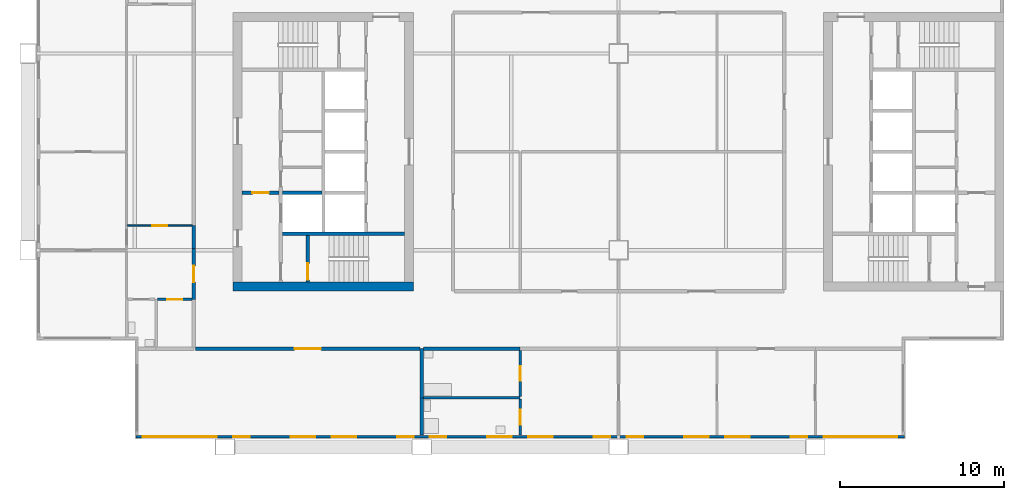
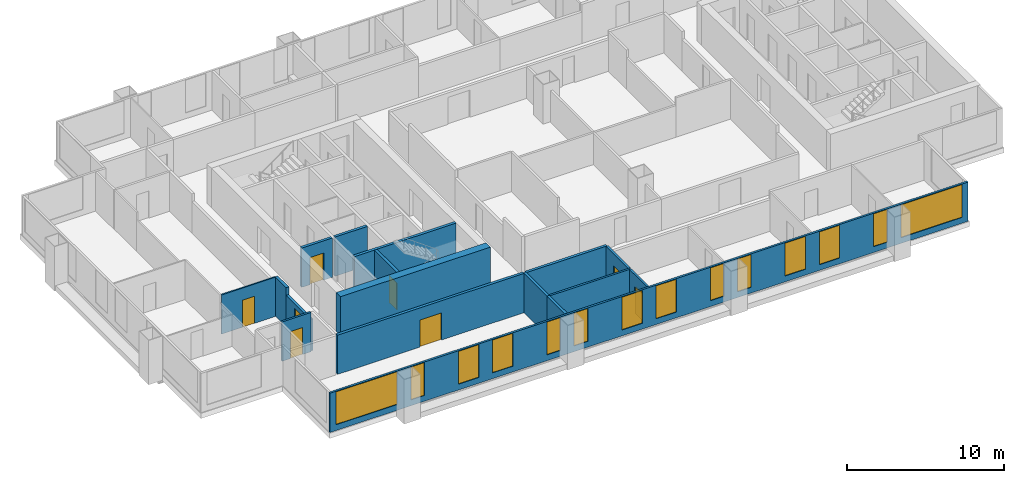
# One storey, part 2 of 9: 17 walls, 14 windows, 8 doors, 22 openings.
"""IFC4 building model written with IfcOpenShell, lengths in metres."""

from ifc_helpers import new_model, si_unit, direction, frame, frame_2d, origin, place, context, subcontext, project, spatial, rectangle, extrude, material, layer, layer_set, type_object, element, fill, save


model = new_model("IFC4")

# Units and contexts
model_context = context("Model", 3, precision=1e-05, world=origin(), true_north=direction((0.0, 1.0)))
body_context = subcontext(model_context, "Body", "Model", "MODEL_VIEW")
ifc_project = project(units=[si_unit("LENGTHUNIT", "METRE"), si_unit("AREAUNIT", "SQUARE_METRE"), si_unit("VOLUMEUNIT", "CUBIC_METRE"), si_unit("PLANEANGLEUNIT", "RADIAN"), si_unit("MASSUNIT", "GRAM", prefix="KILO")], contexts=[model_context])

# Site, building, storey
site_placement = place(None, origin())
site = spatial("IfcSite", under=ifc_project, at=site_placement, CompositionType="ELEMENT")
building_placement = place(site_placement, origin())
building = spatial("IfcBuilding", under=site, at=building_placement, Name="Kitamizu Gate Tower and Museum", CompositionType="ELEMENT")
storey_placement = place(building_placement, frame((0.0, 0.0, 206.550048828125)))
storey = spatial("IfcBuildingStorey", under=building, at=storey_placement, Name="L55", CompositionType="ELEMENT", Elevation=206.550048828125)

# Wall
ifc_material_1 = material(Name="Concrete Fc42", Category="concrete")
ifc_layer_1 = layer(ifc_material_1, 0.550048828125)
ifc_layer_set_1 = layer_set([ifc_layer_1], Name="Concrete Fc42")
wall_type_1 = type_object("IfcWallType", Name="Core wall 550", PredefinedType="SHEAR", material=ifc_layer_set_1)
wall_1_placement = place(storey_placement, frame((12.5, 21.77490234375, 0.0), z_axis=(0.0, 0.0, 1.0), x_axis=(1.0, 0.0, 0.0)))
element("IfcWall", 1, at=wall_1_placement, inside=storey, type_object=wall_type_1, Name="Core wall WS", PredefinedType="SHEAR", context=body_context, shape_type="SweptSolid", body=[
    extrude(rectangle(XDim=11.0, YDim=0.550048828125, at=frame_2d((5.5, 0.0))), origin(), (0.0, 0.0, 1.0), 3.050048828125),
])

# Wall, opening, door
ifc_material_2 = material(Name="Gypsum board on galvanised stud")
ifc_layer_2 = layer(ifc_material_2, 0.10009765625)
ifc_layer_set_2 = layer_set([ifc_layer_2], Name="Gypsum board on galvanised stud")
wall_type_2 = type_object("IfcWallType", Name="Partition 100 NOT RATED", PredefinedType="PARTITIONING", material=ifc_layer_set_2)
wall_2_placement = place(storey_placement, frame((10.0, 25.5, 0.0), z_axis=(0.0, 0.0, 1.0), x_axis=(-1.0, 0.0, 0.0)))
wall_2 = element("IfcWall", 2, at=wall_2_placement, inside=storey, type_object=wall_type_2, Name="Partition L55-050", PredefinedType="PARTITIONING", context=body_context, shape_type="SweptSolid", body=[
    extrude(rectangle(XDim=3.949951171875, YDim=0.10009765625, at=frame_2d((1.97509765625, 0.0))), origin(), (0.0, 0.0, 1.0), 3.050048828125),
])
opening_1_placement = place(wall_2_placement, frame((1.52490234375, 0.0, 0.0)))
opening_1 = element("IfcOpeningElement", 3, at=opening_1_placement, cuts=wall_2, Name="Opening L55-019", PredefinedType="OPENING", context=body_context, shape_type="SweptSolid", body=[
    extrude(rectangle(XDim=0.89990234375, YDim=2.10009765625, at=frame_2d((0.449951171875, 1.050048828125))), frame((0.0, 0.06005859375, 0.0), z_axis=(0.0, -1.0, 0.0), x_axis=(1.0, 0.0, 0.0)), (0.0, 0.0, 1.0), 0.1201171875),
])
ifc_material_3 = material(Name="Timber door set", Category="wood")
door_type_1 = type_object("IfcDoorType", Name="Room door 900", OperationType="NOTDEFINED", PredefinedType="DOOR", material=ifc_material_3)
door_1_placement = place(opening_1_placement, origin())
door_1 = element("IfcDoor", 4, at=door_1_placement, inside=storey, type_object=door_type_1, Name="Door L55-019", OperationType="SINGLE_SWING_LEFT", OverallHeight=2.10009765625, OverallWidth=0.89990234375, PredefinedType="DOOR", context=body_context, shape_type="SweptSolid", body=[
    extrude(rectangle(XDim=0.89990234375, YDim=2.10009765625, at=frame_2d((0.449951171875, 1.050048828125))), frame((0.0, 0.02490234375, 0.0), z_axis=(0.0, -1.0, 0.0), x_axis=(1.0, 0.0, 0.0)), (0.0, 0.0, 1.0), 0.050048828125),
])
fill(opening_1, door_1)

# Wall
ifc_material_4 = material(Name="Gypsum board on galvanised stud")
ifc_layer_3 = layer(ifc_material_4, 0.14990234375)
ifc_layer_set_3 = layer_set([ifc_layer_3], Name="Gypsum board on galvanised stud")
wall_type_3 = type_object("IfcWallType", Name="Partition 150", PredefinedType="PARTITIONING", material=ifc_layer_set_3)
wall_3_placement = place(storey_placement, frame((30.0, 15.0, 0.0), z_axis=(0.0, 0.0, 1.0), x_axis=(-1.0, 0.0, 0.0)))
element("IfcWall", 5, at=wall_3_placement, inside=storey, type_object=wall_type_3, Name="Partition L55-001", PredefinedType="PARTITIONING", context=body_context, shape_type="SweptSolid", body=[
    extrude(rectangle(XDim=5.89990234375, YDim=0.14990234375, at=frame_2d((2.949951171875, 0.0))), origin(), (0.0, 0.0, 1.0), 3.050048828125),
])

# Wall, opening, door
wall_4_placement = place(storey_placement, frame((30.0, 12.719970703125, 0.0), z_axis=(0.0, 0.0, 1.0), x_axis=(0.0, 1.0, 0.0)))
wall_4 = element("IfcWall", 6, at=wall_4_placement, inside=storey, type_object=wall_type_3, Name="Partition L55-002", PredefinedType="PARTITIONING", context=body_context, shape_type="SweptSolid", body=[
    extrude(rectangle(XDim=2.205078125, YDim=0.14990234375, at=frame_2d((1.1025390625, 0.0))), origin(), (0.0, 0.0, 1.0), 3.050048828125),
])
opening_2_placement = place(wall_4_placement, frame((0.652587890625, 0.0, 0.0)))
opening_2 = element("IfcOpeningElement", 7, at=opening_2_placement, cuts=wall_4, Name="Opening L55-004", PredefinedType="OPENING", context=body_context, shape_type="SweptSolid", body=[
    extrude(rectangle(XDim=0.89990234375, YDim=2.10009765625, at=frame_2d((0.449951171875, 1.050048828125))), frame((0.0, 0.0849609375, 0.0), z_axis=(0.0, -1.0, 0.0), x_axis=(1.0, 0.0, 0.0)), (0.0, 0.0, 1.0), 0.169921875),
])
ifc_material_5 = material(Name="Timber door set", Category="wood")
door_type_2 = type_object("IfcDoorType", Name="Bathroom door 900", OperationType="NOTDEFINED", PredefinedType="DOOR", material=ifc_material_5)
door_2_placement = place(opening_2_placement, origin())
door_2 = element("IfcDoor", 8, at=door_2_placement, inside=storey, type_object=door_type_2, Name="Bathroom door L55-004", OperationType="SINGLE_SWING_LEFT", OverallHeight=2.10009765625, OverallWidth=0.89990234375, PredefinedType="DOOR", context=body_context, shape_type="SweptSolid", body=[
    extrude(rectangle(XDim=0.89990234375, YDim=2.10009765625, at=frame_2d((0.449951171875, 1.050048828125))), frame((0.0, 0.02490234375, 0.0), z_axis=(0.0, -1.0, 0.0), x_axis=(1.0, 0.0, 0.0)), (0.0, 0.0, 1.0), 0.050048828125),
])
fill(opening_2, door_2)

wall_5_placement = place(storey_placement, frame((30.0, 15.074951171875, 0.0), z_axis=(0.0, 0.0, 1.0), x_axis=(0.0, 1.0, 0.0)))
wall_5 = element("IfcWall", 9, at=wall_5_placement, inside=storey, type_object=wall_type_3, Name="Partition L55-004", PredefinedType="PARTITIONING", context=body_context, shape_type="SweptSolid", body=[
    extrude(rectangle(XDim=2.824951171875, YDim=0.14990234375, at=frame_2d((1.41259765625, 0.0))), origin(), (0.0, 0.0, 1.0), 3.050048828125),
])
opening_3_placement = place(wall_5_placement, frame((0.96240234375, 0.0, 0.0)))
opening_3 = element("IfcOpeningElement", 10, at=opening_3_placement, cuts=wall_5, Name="Opening L55-005", PredefinedType="OPENING", context=body_context, shape_type="SweptSolid", body=[
    extrude(rectangle(XDim=0.89990234375, YDim=2.10009765625, at=frame_2d((0.449951171875, 1.050048828125))), frame((0.0, 0.0849609375, 0.0), z_axis=(0.0, -1.0, 0.0), x_axis=(1.0, 0.0, 0.0)), (0.0, 0.0, 1.0), 0.169921875),
])
door_3_placement = place(opening_3_placement, origin())
door_3 = element("IfcDoor", 11, at=door_3_placement, inside=storey, type_object=door_type_2, Name="Bathroom door L55-005", OperationType="SINGLE_SWING_RIGHT", OverallHeight=2.10009765625, OverallWidth=0.89990234375, PredefinedType="DOOR", context=body_context, shape_type="SweptSolid", body=[
    extrude(rectangle(XDim=0.89990234375, YDim=2.10009765625, at=frame_2d((0.449951171875, 1.050048828125))), frame((0.0, 0.02490234375, 0.0), z_axis=(0.0, -1.0, 0.0), x_axis=(1.0, 0.0, 0.0)), (0.0, 0.0, 1.0), 0.050048828125),
])
fill(opening_3, door_3)

wall_6_placement = place(storey_placement, frame((10.0, 21.0, 0.0), z_axis=(0.0, 0.0, 1.0), x_axis=(-1.0, 0.0, 0.0)))
wall_6 = element("IfcWall", 12, at=wall_6_placement, inside=storey, type_object=wall_type_3, Name="Partition L55-047", PredefinedType="PARTITIONING", context=body_context, shape_type="SweptSolid", body=[
    extrude(rectangle(XDim=2.125, YDim=0.14990234375, at=frame_2d((1.0625, 0.0))), origin(), (0.0, 0.0, 1.0), 3.050048828125),
])
opening_4_placement = place(wall_6_placement, frame((0.612548828125, 0.0, 0.0)))
opening_4 = element("IfcOpeningElement", 13, at=opening_4_placement, cuts=wall_6, Name="Opening L55-023", PredefinedType="OPENING", context=body_context, shape_type="SweptSolid", body=[
    extrude(rectangle(XDim=0.89990234375, YDim=2.10009765625, at=frame_2d((0.449951171875, 1.050048828125))), frame((0.0, 0.0849609375, 0.0), z_axis=(0.0, -1.0, 0.0), x_axis=(1.0, 0.0, 0.0)), (0.0, 0.0, 1.0), 0.169921875),
])
door_4_placement = place(opening_4_placement, origin())
door_4 = element("IfcDoor", 14, at=door_4_placement, inside=storey, type_object=door_type_2, Name="Bathroom door L55-023", OperationType="SINGLE_SWING_LEFT", OverallHeight=2.10009765625, OverallWidth=0.89990234375, PredefinedType="DOOR", context=body_context, shape_type="SweptSolid", body=[
    extrude(rectangle(XDim=0.89990234375, YDim=2.10009765625, at=frame_2d((0.449951171875, 1.050048828125))), frame((0.0, 0.02490234375, 0.0), z_axis=(0.0, -1.0, 0.0), x_axis=(1.0, 0.0, 0.0)), (0.0, 0.0, 1.0), 0.050048828125),
])
fill(opening_4, door_4)

# Walls
ifc_material_6 = material(Name="Gypsum board on galvanised stud")
ifc_layer_4 = layer(ifc_material_6, 0.199951171875)
ifc_layer_set_4 = layer_set([ifc_layer_4], Name="Gypsum board on galvanised stud")
wall_type_4 = type_object("IfcWallType", Name="Partition 200", PredefinedType="PARTITIONING", material=ifc_layer_set_4)
wall_7_placement = place(storey_placement, frame((24.0, 15.0, 0.0), z_axis=(0.0, 0.0, 1.0), x_axis=(0.0, -1.0, 0.0)))
element("IfcWall", 15, at=wall_7_placement, inside=storey, type_object=wall_type_4, Name="Partition L55-003", PredefinedType="PARTITIONING", context=body_context, shape_type="SweptSolid", body=[
    extrude(rectangle(XDim=2.280029296875, YDim=0.199951171875, at=frame_2d((1.14013671875, 0.0))), origin(), (0.0, 0.0, 1.0), 3.050048828125),
])
wall_8_placement = place(storey_placement, frame((24.0, 18.0, 0.0), z_axis=(0.0, 0.0, 1.0), x_axis=(0.0, -1.0, 0.0)))
element("IfcWall", 16, at=wall_8_placement, inside=storey, type_object=wall_type_4, Name="Partition L55-005", PredefinedType="PARTITIONING", context=body_context, shape_type="SweptSolid", body=[
    extrude(rectangle(XDim=3.0, YDim=0.199951171875, at=frame_2d((1.5, 0.0))), origin(), (0.0, 0.0, 1.0), 3.050048828125),
])
wall_9_placement = place(storey_placement, frame((30.0, 18.0, 0.0), z_axis=(0.0, 0.0, 1.0), x_axis=(-1.0, 0.0, 0.0)))
element("IfcWall", 17, at=wall_9_placement, inside=storey, type_object=wall_type_4, Name="Partition L55-006", PredefinedType="PARTITIONING", context=body_context, shape_type="SweptSolid", body=[
    extrude(rectangle(XDim=5.89990234375, YDim=0.199951171875, at=frame_2d((2.949951171875, 0.0))), origin(), (0.0, 0.0, 1.0), 3.050048828125),
])

# Wall, opening, door
wall_10_placement = place(storey_placement, frame((10.10009765625, 21.0, 0.0), z_axis=(0.0, 0.0, 1.0), x_axis=(0.0, 1.0, 0.0)))
wall_10 = element("IfcWall", 18, at=wall_10_placement, inside=storey, type_object=wall_type_4, Name="Partition L55-051", PredefinedType="PARTITIONING", context=body_context, shape_type="SweptSolid", body=[
    extrude(rectangle(XDim=3.10009765625, YDim=0.199951171875, at=frame_2d((1.550048828125, 0.0))), origin(), (0.0, 0.0, 1.0), 2.449951171875),
])
opening_5_placement = place(wall_10_placement, frame((1.050048828125, 0.0, 0.0)))
opening_5 = element("IfcOpeningElement", 19, at=opening_5_placement, cuts=wall_10, Name="Opening L55-017", PredefinedType="OPENING", context=body_context, shape_type="SweptSolid", body=[
    extrude(rectangle(XDim=1.0, YDim=2.10009765625, at=frame_2d((0.5, 1.050048828125))), frame((0.0, 0.10986328125, 0.0), z_axis=(0.0, -1.0, 0.0), x_axis=(1.0, 0.0, 0.0)), (0.0, 0.0, 1.0), 0.219970703125),
])
ifc_material_7 = material(Name="Timber door set", Category="wood")
door_type_3 = type_object("IfcDoorType", Name="Flat entrance door 1000", OperationType="NOTDEFINED", PredefinedType="DOOR", material=ifc_material_7)
door_5_placement = place(opening_5_placement, origin())
door_5 = element("IfcDoor", 20, at=door_5_placement, inside=storey, type_object=door_type_3, Name="Flat entrance door L55-017", OperationType="SINGLE_SWING_RIGHT", OverallHeight=2.10009765625, OverallWidth=1.0, PredefinedType="DOOR", context=body_context, shape_type="SweptSolid", body=[
    extrude(rectangle(XDim=1.0, YDim=2.10009765625, at=frame_2d((0.5, 1.050048828125))), frame((0.0, 0.02490234375, 0.0), z_axis=(0.0, -1.0, 0.0), x_axis=(1.0, 0.0, 0.0)), (0.0, 0.0, 1.0), 0.050048828125),
])
fill(opening_5, door_5)

# Wall
wall_11_placement = place(storey_placement, frame((10.10009765625, 24.10009765625, 0.0), z_axis=(0.0, 0.0, 1.0), x_axis=(0.0, 1.0, 0.0)))
element("IfcWall", 21, at=wall_11_placement, inside=storey, type_object=wall_type_4, Name="Partition L55-052", PredefinedType="PARTITIONING", context=body_context, shape_type="SweptSolid", body=[
    extrude(rectangle(XDim=1.39990234375, YDim=0.199951171875, at=frame_2d((0.699951171875, 0.0))), origin(), (0.0, 0.0, 1.0), 3.050048828125),
])

# Wall, opening, door
wall_12_placement = place(storey_placement, frame((23.89990234375, 18.0, 0.0), z_axis=(0.0, 0.0, 1.0), x_axis=(-1.0, 0.0, 0.0)))
wall_12 = element("IfcWall", 22, at=wall_12_placement, inside=storey, type_object=wall_type_4, Name="Partition L55-057", PredefinedType="PARTITIONING", context=body_context, shape_type="SweptSolid", body=[
    extrude(rectangle(XDim=13.699951171875, YDim=0.199951171875, at=frame_2d((6.85009765625, 0.0))), origin(), (0.0, 0.0, 1.0), 3.050048828125),
])
opening_6_placement = place(wall_12_placement, frame((6.050048828125, 0.0, 0.0)))
opening_6 = element("IfcOpeningElement", 23, at=opening_6_placement, cuts=wall_12, Name="Opening L55-025", PredefinedType="OPENING", context=body_context, shape_type="SweptSolid", body=[
    extrude(rectangle(XDim=1.60009765625, YDim=2.10009765625, at=frame_2d((0.800048828125, 1.050048828125))), frame((0.0, 0.10986328125, 0.0), z_axis=(0.0, -1.0, 0.0), x_axis=(1.0, 0.0, 0.0)), (0.0, 0.0, 1.0), 0.219970703125),
])
ifc_material_8 = material(Name="Timber door set", Category="wood")
door_type_4 = type_object("IfcDoorType", Name="Double door 1600", OperationType="DOUBLE_DOOR_SINGLE_SWING", PredefinedType="DOOR", material=ifc_material_8)
door_6_placement = place(opening_6_placement, origin())
door_6 = element("IfcDoor", 24, at=door_6_placement, inside=storey, type_object=door_type_4, Name="Double door L55-025", OperationType="DOUBLE_DOOR_SINGLE_SWING", OverallHeight=2.10009765625, OverallWidth=1.60009765625, PredefinedType="DOOR", context=body_context, shape_type="SweptSolid", body=[
    extrude(rectangle(XDim=1.60009765625, YDim=2.10009765625, at=frame_2d((0.800048828125, 1.050048828125))), frame((0.0, 0.02490234375, 0.0), z_axis=(0.0, -1.0, 0.0), x_axis=(1.0, 0.0, 0.0)), (0.0, 0.0, 1.0), 0.050048828125),
])
fill(opening_6, door_6)

# Wall
ifc_material_9 = material(Name="Concrete Fc42", Category="concrete")
ifc_layer_5 = layer(ifc_material_9, 0.199951171875)
ifc_layer_set_5 = layer_set([ifc_layer_5], Name="Concrete Fc42")
wall_type_5 = type_object("IfcWallType", Name="Shaft wall 200", PredefinedType="SOLIDWALL", material=ifc_layer_set_5)
wall_13_placement = place(storey_placement, frame((15.5, 25.0, 0.0), z_axis=(0.0, 0.0, 1.0), x_axis=(1.0, 0.0, 0.0)))
element("IfcWall", 25, at=wall_13_placement, inside=storey, type_object=wall_type_5, Name="Shaft wall WSB", PredefinedType="SOLIDWALL", context=body_context, shape_type="SweptSolid", body=[
    extrude(rectangle(XDim=7.449951171875, YDim=0.199951171875, at=frame_2d((3.72509765625, 0.0))), origin(), (0.0, 0.0, 1.0), 3.050048828125),
])

# Wall, opening, door
wall_14_placement = place(storey_placement, frame((13.050048828125, 27.5, 0.0), z_axis=(0.0, 0.0, 1.0), x_axis=(1.0, 0.0, 0.0)))
wall_14 = element("IfcWall", 26, at=wall_14_placement, inside=storey, type_object=wall_type_5, Name="Shaft wall WFFN", PredefinedType="SOLIDWALL", context=body_context, shape_type="SweptSolid", body=[
    extrude(rectangle(XDim=2.25, YDim=0.199951171875, at=frame_2d((1.125, 0.0))), origin(), (0.0, 0.0, 1.0), 3.050048828125),
])
opening_7_placement = place(wall_14_placement, frame((0.625, 0.0, 0.0)))
opening_7 = element("IfcOpeningElement", 27, at=opening_7_placement, cuts=wall_14, Name="Opening L55-036", PredefinedType="OPENING", context=body_context, shape_type="SweptSolid", body=[
    extrude(rectangle(XDim=1.0, YDim=2.10009765625, at=frame_2d((0.5, 1.050048828125))), frame((0.0, 0.10986328125, 0.0), z_axis=(0.0, -1.0, 0.0), x_axis=(1.0, 0.0, 0.0)), (0.0, 0.0, 1.0), 0.219970703125),
])
ifc_material_10 = material(Name="Hollow metal door set")
door_type_5 = type_object("IfcDoorType", Name="Fire door 1000", OperationType="NOTDEFINED", PredefinedType="DOOR", material=ifc_material_10)
door_7_placement = place(opening_7_placement, frame((1.0, 0.0, 0.0), x_axis=(-1.0, 0.0, 0.0)))
door_7 = element("IfcDoor", 28, at=door_7_placement, inside=storey, type_object=door_type_5, Name="Fire-fighting lobby door L55-036", OperationType="SINGLE_SWING_RIGHT", OverallHeight=2.10009765625, OverallWidth=1.0, PredefinedType="DOOR", context=body_context, shape_type="SweptSolid", body=[
    extrude(rectangle(XDim=1.0, YDim=2.10009765625, at=frame_2d((0.5, 1.050048828125))), frame((0.0, 0.02490234375, 0.0), z_axis=(0.0, -1.0, 0.0), x_axis=(1.0, 0.0, 0.0)), (0.0, 0.0, 1.0), 0.050048828125),
])
fill(opening_7, door_7)

wall_15_placement = place(storey_placement, frame((17.050048828125, 22.050048828125, 0.0), z_axis=(0.0, 0.0, 1.0), x_axis=(0.0, 1.0, 0.0)))
wall_15 = element("IfcWall", 29, at=wall_15_placement, inside=storey, type_object=wall_type_5, Name="Shaft wall WSZ", PredefinedType="SOLIDWALL", context=body_context, shape_type="SweptSolid", body=[
    extrude(rectangle(XDim=2.849853515625, YDim=0.199951171875, at=frame_2d((1.4248046875, 0.0))), origin(), (0.0, 0.0, 1.0), 3.050048828125),
])
opening_8_placement = place(wall_15_placement, frame((0.14990234375, 0.0, 0.0)))
opening_8 = element("IfcOpeningElement", 30, at=opening_8_placement, cuts=wall_15, Name="Opening L55-032", PredefinedType="OPENING", context=body_context, shape_type="SweptSolid", body=[
    extrude(rectangle(XDim=1.0, YDim=2.10009765625, at=frame_2d((0.5, 1.050048828125))), frame((0.0, 0.10986328125, 0.0), z_axis=(0.0, -1.0, 0.0), x_axis=(1.0, 0.0, 0.0)), (0.0, 0.0, 1.0), 0.219970703125),
])
door_8_placement = place(opening_8_placement, frame((1.0, 0.0, 0.0), x_axis=(-1.0, 0.0, 0.0)))
door_8 = element("IfcDoor", 31, at=door_8_placement, inside=storey, type_object=door_type_5, Name="Stair door L55-032", OperationType="SINGLE_SWING_LEFT", OverallHeight=2.10009765625, OverallWidth=1.0, PredefinedType="DOOR", context=body_context, shape_type="SweptSolid", body=[
    extrude(rectangle(XDim=1.0, YDim=2.10009765625, at=frame_2d((0.5, 1.050048828125))), frame((0.0, 0.02490234375, 0.0), z_axis=(0.0, -1.0, 0.0), x_axis=(1.0, 0.0, 0.0)), (0.0, 0.0, 1.0), 0.050048828125),
])
fill(opening_8, door_8)

# Wall
wall_16_placement = place(storey_placement, frame((15.5, 27.5, 0.0), z_axis=(0.0, 0.0, 1.0), x_axis=(1.0, 0.0, 0.0)))
element("IfcWall", 32, at=wall_16_placement, inside=storey, type_object=wall_type_5, Name="Shaft wall WDVW0", PredefinedType="SOLIDWALL", context=body_context, shape_type="SweptSolid", body=[
    extrude(rectangle(XDim=2.39990234375, YDim=0.199951171875, at=frame_2d((1.199951171875, 0.0))), origin(), (0.0, 0.0, 1.0), 3.050048828125),
])

# Wall, openings, windows
ifc_material_11 = material(Name="Bronze anodised aluminium frame with insulated spandrel and tinted glass", Category="aluminium")
ifc_layer_6 = layer(ifc_material_11, 0.14990234375)
ifc_layer_set_6 = layer_set([ifc_layer_6], Name="Bronze anodised aluminium frame with insulated spandrel and tinted glass")
wall_type_6 = type_object("IfcWallType", Name="WINDOW WALL 150 BRONZE FRAME EI 30", PredefinedType="ELEMENTEDWALL", material=ifc_layer_set_6)
wall_17_placement = place(storey_placement, frame((6.56005859375, 12.635009765625, 0.0), z_axis=(0.0, 0.0, 1.0), x_axis=(1.0, 0.0, 0.0)))
wall_17 = element("IfcWall", 33, at=wall_17_placement, inside=storey, type_object=wall_type_6, Name="Window wall south L55", PredefinedType="ELEMENTEDWALL", context=body_context, shape_type="SweptSolid", body=[
    extrude(rectangle(XDim=46.8798828125, YDim=0.14990234375, at=frame_2d((23.43994140625, 0.0))), origin(), (0.0, 0.0, 1.0), 3.050048828125),
])
opening_9_placement = place(wall_17_placement, frame((0.43994140625, 0.0, 0.449951171875)))
opening_9 = element("IfcOpeningElement", 34, at=opening_9_placement, cuts=wall_17, Name="Opening W15", PredefinedType="OPENING", context=body_context, shape_type="SweptSolid", body=[
    extrude(rectangle(XDim=4.5, YDim=2.550048828125, at=frame_2d((2.25, 1.27490234375))), frame((0.0, 0.0849609375, 0.0), z_axis=(0.0, -1.0, 0.0), x_axis=(1.0, 0.0, 0.0)), (0.0, 0.0, 1.0), 0.169921875),
])
opening_10_placement = place(wall_17_placement, frame((5.93994140625, 0.0, 0.449951171875)))
opening_10 = element("IfcOpeningElement", 35, at=opening_10_placement, cuts=wall_17, Name="Opening W26", PredefinedType="OPENING", context=body_context, shape_type="SweptSolid", body=[
    extrude(rectangle(XDim=1.0, YDim=2.550048828125, at=frame_2d((0.5, 1.27490234375))), frame((0.0, 0.0849609375, 0.0), z_axis=(0.0, -1.0, 0.0), x_axis=(1.0, 0.0, 0.0)), (0.0, 0.0, 1.0), 0.169921875),
])
opening_11_placement = place(wall_17_placement, frame((9.43994140625, 0.0, 0.449951171875)))
opening_11 = element("IfcOpeningElement", 36, at=opening_11_placement, cuts=wall_17, Name="Opening W28", PredefinedType="OPENING", context=body_context, shape_type="SweptSolid", body=[
    extrude(rectangle(XDim=1.5, YDim=2.550048828125, at=frame_2d((0.75, 1.27490234375))), frame((0.0, 0.0849609375, 0.0), z_axis=(0.0, -1.0, 0.0), x_axis=(1.0, 0.0, 0.0)), (0.0, 0.0, 1.0), 0.169921875),
])
opening_12_placement = place(wall_17_placement, frame((11.93994140625, 0.0, 0.449951171875)))
opening_12 = element("IfcOpeningElement", 37, at=opening_12_placement, cuts=wall_17, Name="Opening W28", PredefinedType="OPENING", context=body_context, shape_type="SweptSolid", body=[
    extrude(rectangle(XDim=1.5, YDim=2.550048828125, at=frame_2d((0.75, 1.27490234375))), frame((0.0, 0.0849609375, 0.0), z_axis=(0.0, -1.0, 0.0), x_axis=(1.0, 0.0, 0.0)), (0.0, 0.0, 1.0), 0.169921875),
])
opening_13_placement = place(wall_17_placement, frame((15.93994140625, 0.0, 0.449951171875)))
opening_13 = element("IfcOpeningElement", 38, at=opening_13_placement, cuts=wall_17, Name="Opening W26", PredefinedType="OPENING", context=body_context, shape_type="SweptSolid", body=[
    extrude(rectangle(XDim=1.0, YDim=2.550048828125, at=frame_2d((0.5, 1.27490234375))), frame((0.0, 0.0849609375, 0.0), z_axis=(0.0, -1.0, 0.0), x_axis=(1.0, 0.0, 0.0)), (0.0, 0.0, 1.0), 0.169921875),
])
opening_14_placement = place(wall_17_placement, frame((17.93994140625, 0.0, 0.449951171875)))
opening_14 = element("IfcOpeningElement", 39, at=opening_14_placement, cuts=wall_17, Name="Opening W26", PredefinedType="OPENING", context=body_context, shape_type="SweptSolid", body=[
    extrude(rectangle(XDim=1.0, YDim=2.550048828125, at=frame_2d((0.5, 1.27490234375))), frame((0.0, 0.0849609375, 0.0), z_axis=(0.0, -1.0, 0.0), x_axis=(1.0, 0.0, 0.0)), (0.0, 0.0, 1.0), 0.169921875),
])
opening_15_placement = place(wall_17_placement, frame((21.43994140625, 0.0, 0.449951171875)))
opening_15 = element("IfcOpeningElement", 40, at=opening_15_placement, cuts=wall_17, Name="Opening W28", PredefinedType="OPENING", context=body_context, shape_type="SweptSolid", body=[
    extrude(rectangle(XDim=1.5, YDim=2.550048828125, at=frame_2d((0.75, 1.27490234375))), frame((0.0, 0.0849609375, 0.0), z_axis=(0.0, -1.0, 0.0), x_axis=(1.0, 0.0, 0.0)), (0.0, 0.0, 1.0), 0.169921875),
])
opening_16_placement = place(wall_17_placement, frame((23.93994140625, 0.0, 0.449951171875)))
opening_16 = element("IfcOpeningElement", 41, at=opening_16_placement, cuts=wall_17, Name="Opening W28", PredefinedType="OPENING", context=body_context, shape_type="SweptSolid", body=[
    extrude(rectangle(XDim=1.5, YDim=2.550048828125, at=frame_2d((0.75, 1.27490234375))), frame((0.0, 0.0849609375, 0.0), z_axis=(0.0, -1.0, 0.0), x_axis=(1.0, 0.0, 0.0)), (0.0, 0.0, 1.0), 0.169921875),
])
opening_17_placement = place(wall_17_placement, frame((27.93994140625, 0.0, 0.449951171875)))
opening_17 = element("IfcOpeningElement", 42, at=opening_17_placement, cuts=wall_17, Name="Opening W26", PredefinedType="OPENING", context=body_context, shape_type="SweptSolid", body=[
    extrude(rectangle(XDim=1.0, YDim=2.550048828125, at=frame_2d((0.5, 1.27490234375))), frame((0.0, 0.0849609375, 0.0), z_axis=(0.0, -1.0, 0.0), x_axis=(1.0, 0.0, 0.0)), (0.0, 0.0, 1.0), 0.169921875),
])
opening_18_placement = place(wall_17_placement, frame((29.93994140625, 0.0, 0.449951171875)))
opening_18 = element("IfcOpeningElement", 43, at=opening_18_placement, cuts=wall_17, Name="Opening W26", PredefinedType="OPENING", context=body_context, shape_type="SweptSolid", body=[
    extrude(rectangle(XDim=1.0, YDim=2.550048828125, at=frame_2d((0.5, 1.27490234375))), frame((0.0, 0.0849609375, 0.0), z_axis=(0.0, -1.0, 0.0), x_axis=(1.0, 0.0, 0.0)), (0.0, 0.0, 1.0), 0.169921875),
])
opening_19_placement = place(wall_17_placement, frame((33.43994140625, 0.0, 0.449951171875)))
opening_19 = element("IfcOpeningElement", 44, at=opening_19_placement, cuts=wall_17, Name="Opening W28", PredefinedType="OPENING", context=body_context, shape_type="SweptSolid", body=[
    extrude(rectangle(XDim=1.5, YDim=2.550048828125, at=frame_2d((0.75, 1.27490234375))), frame((0.0, 0.0849609375, 0.0), z_axis=(0.0, -1.0, 0.0), x_axis=(1.0, 0.0, 0.0)), (0.0, 0.0, 1.0), 0.169921875),
])
opening_20_placement = place(wall_17_placement, frame((35.93994140625, 0.0, 0.449951171875)))
opening_20 = element("IfcOpeningElement", 45, at=opening_20_placement, cuts=wall_17, Name="Opening W28", PredefinedType="OPENING", context=body_context, shape_type="SweptSolid", body=[
    extrude(rectangle(XDim=1.5, YDim=2.550048828125, at=frame_2d((0.75, 1.27490234375))), frame((0.0, 0.0849609375, 0.0), z_axis=(0.0, -1.0, 0.0), x_axis=(1.0, 0.0, 0.0)), (0.0, 0.0, 1.0), 0.169921875),
])
opening_21_placement = place(wall_17_placement, frame((39.93994140625, 0.0, 0.449951171875)))
opening_21 = element("IfcOpeningElement", 46, at=opening_21_placement, cuts=wall_17, Name="Opening W26", PredefinedType="OPENING", context=body_context, shape_type="SweptSolid", body=[
    extrude(rectangle(XDim=1.0, YDim=2.550048828125, at=frame_2d((0.5, 1.27490234375))), frame((0.0, 0.0849609375, 0.0), z_axis=(0.0, -1.0, 0.0), x_axis=(1.0, 0.0, 0.0)), (0.0, 0.0, 1.0), 0.169921875),
])
opening_22_placement = place(wall_17_placement, frame((41.93994140625, 0.0, 0.449951171875)))
opening_22 = element("IfcOpeningElement", 47, at=opening_22_placement, cuts=wall_17, Name="Opening W15", PredefinedType="OPENING", context=body_context, shape_type="SweptSolid", body=[
    extrude(rectangle(XDim=4.5, YDim=2.550048828125, at=frame_2d((2.25, 1.27490234375))), frame((0.0, 0.0849609375, 0.0), z_axis=(0.0, -1.0, 0.0), x_axis=(1.0, 0.0, 0.0)), (0.0, 0.0, 1.0), 0.169921875),
])
ifc_material_12 = material(Name="Bronze anodised aluminium frame, tinted triple glazing", Category="aluminium")
window_type_1 = type_object("IfcWindowType", Name="WINDOW 1000 x 2550 SILL 450", PartitioningType="SINGLE_PANEL", PredefinedType="WINDOW", material=ifc_material_12)
window_1_placement = place(opening_10_placement, origin())
window_1 = element("IfcWindow", 48, at=window_1_placement, inside=storey, type_object=window_type_1, Name="Window W26 L55", OverallHeight=2.550048828125, OverallWidth=1.0, PartitioningType="SINGLE_PANEL", PredefinedType="WINDOW", context=body_context, shape_type="SweptSolid", body=[
    extrude(rectangle(XDim=1.0, YDim=2.550048828125, at=frame_2d((0.5, 1.27490234375))), frame((0.0, 0.030029296875, 0.0), z_axis=(0.0, -1.0, 0.0), x_axis=(1.0, 0.0, 0.0)), (0.0, 0.0, 1.0), 0.06005859375),
])
fill(opening_10, window_1)
window_2_placement = place(opening_13_placement, origin())
window_2 = element("IfcWindow", 49, at=window_2_placement, inside=storey, type_object=window_type_1, Name="Window W26 L55", OverallHeight=2.550048828125, OverallWidth=1.0, PartitioningType="SINGLE_PANEL", PredefinedType="WINDOW", context=body_context, shape_type="SweptSolid", body=[
    extrude(rectangle(XDim=1.0, YDim=2.550048828125, at=frame_2d((0.5, 1.27490234375))), frame((0.0, 0.030029296875, 0.0), z_axis=(0.0, -1.0, 0.0), x_axis=(1.0, 0.0, 0.0)), (0.0, 0.0, 1.0), 0.06005859375),
])
fill(opening_13, window_2)
window_3_placement = place(opening_14_placement, origin())
window_3 = element("IfcWindow", 50, at=window_3_placement, inside=storey, type_object=window_type_1, Name="Window W26 L55", OverallHeight=2.550048828125, OverallWidth=1.0, PartitioningType="SINGLE_PANEL", PredefinedType="WINDOW", context=body_context, shape_type="SweptSolid", body=[
    extrude(rectangle(XDim=1.0, YDim=2.550048828125, at=frame_2d((0.5, 1.27490234375))), frame((0.0, 0.030029296875, 0.0), z_axis=(0.0, -1.0, 0.0), x_axis=(1.0, 0.0, 0.0)), (0.0, 0.0, 1.0), 0.06005859375),
])
fill(opening_14, window_3)
window_4_placement = place(opening_17_placement, origin())
window_4 = element("IfcWindow", 51, at=window_4_placement, inside=storey, type_object=window_type_1, Name="Window W26 L55", OverallHeight=2.550048828125, OverallWidth=1.0, PartitioningType="SINGLE_PANEL", PredefinedType="WINDOW", context=body_context, shape_type="SweptSolid", body=[
    extrude(rectangle(XDim=1.0, YDim=2.550048828125, at=frame_2d((0.5, 1.27490234375))), frame((0.0, 0.030029296875, 0.0), z_axis=(0.0, -1.0, 0.0), x_axis=(1.0, 0.0, 0.0)), (0.0, 0.0, 1.0), 0.06005859375),
])
fill(opening_17, window_4)
window_5_placement = place(opening_18_placement, origin())
window_5 = element("IfcWindow", 52, at=window_5_placement, inside=storey, type_object=window_type_1, Name="Window W26 L55", OverallHeight=2.550048828125, OverallWidth=1.0, PartitioningType="SINGLE_PANEL", PredefinedType="WINDOW", context=body_context, shape_type="SweptSolid", body=[
    extrude(rectangle(XDim=1.0, YDim=2.550048828125, at=frame_2d((0.5, 1.27490234375))), frame((0.0, 0.030029296875, 0.0), z_axis=(0.0, -1.0, 0.0), x_axis=(1.0, 0.0, 0.0)), (0.0, 0.0, 1.0), 0.06005859375),
])
fill(opening_18, window_5)
window_6_placement = place(opening_21_placement, origin())
window_6 = element("IfcWindow", 53, at=window_6_placement, inside=storey, type_object=window_type_1, Name="Window W26 L55", OverallHeight=2.550048828125, OverallWidth=1.0, PartitioningType="SINGLE_PANEL", PredefinedType="WINDOW", context=body_context, shape_type="SweptSolid", body=[
    extrude(rectangle(XDim=1.0, YDim=2.550048828125, at=frame_2d((0.5, 1.27490234375))), frame((0.0, 0.030029296875, 0.0), z_axis=(0.0, -1.0, 0.0), x_axis=(1.0, 0.0, 0.0)), (0.0, 0.0, 1.0), 0.06005859375),
])
fill(opening_21, window_6)
ifc_material_13 = material(Name="Bronze anodised aluminium frame, tinted triple glazing", Category="aluminium")
window_type_2 = type_object("IfcWindowType", Name="WINDOW 1500 x 2550 SILL 450", PartitioningType="SINGLE_PANEL", PredefinedType="WINDOW", material=ifc_material_13)
window_7_placement = place(opening_11_placement, origin())
window_7 = element("IfcWindow", 54, at=window_7_placement, inside=storey, type_object=window_type_2, Name="Window W28 L55", OverallHeight=2.550048828125, OverallWidth=1.5, PartitioningType="SINGLE_PANEL", PredefinedType="WINDOW", context=body_context, shape_type="SweptSolid", body=[
    extrude(rectangle(XDim=1.5, YDim=2.550048828125, at=frame_2d((0.75, 1.27490234375))), frame((0.0, 0.030029296875, 0.0), z_axis=(0.0, -1.0, 0.0), x_axis=(1.0, 0.0, 0.0)), (0.0, 0.0, 1.0), 0.06005859375),
])
fill(opening_11, window_7)
window_8_placement = place(opening_12_placement, origin())
window_8 = element("IfcWindow", 55, at=window_8_placement, inside=storey, type_object=window_type_2, Name="Window W28 L55", OverallHeight=2.550048828125, OverallWidth=1.5, PartitioningType="SINGLE_PANEL", PredefinedType="WINDOW", context=body_context, shape_type="SweptSolid", body=[
    extrude(rectangle(XDim=1.5, YDim=2.550048828125, at=frame_2d((0.75, 1.27490234375))), frame((0.0, 0.030029296875, 0.0), z_axis=(0.0, -1.0, 0.0), x_axis=(1.0, 0.0, 0.0)), (0.0, 0.0, 1.0), 0.06005859375),
])
fill(opening_12, window_8)
window_9_placement = place(opening_15_placement, origin())
window_9 = element("IfcWindow", 56, at=window_9_placement, inside=storey, type_object=window_type_2, Name="Window W28 L55", OverallHeight=2.550048828125, OverallWidth=1.5, PartitioningType="SINGLE_PANEL", PredefinedType="WINDOW", context=body_context, shape_type="SweptSolid", body=[
    extrude(rectangle(XDim=1.5, YDim=2.550048828125, at=frame_2d((0.75, 1.27490234375))), frame((0.0, 0.030029296875, 0.0), z_axis=(0.0, -1.0, 0.0), x_axis=(1.0, 0.0, 0.0)), (0.0, 0.0, 1.0), 0.06005859375),
])
fill(opening_15, window_9)
window_10_placement = place(opening_16_placement, origin())
window_10 = element("IfcWindow", 57, at=window_10_placement, inside=storey, type_object=window_type_2, Name="Window W28 L55", OverallHeight=2.550048828125, OverallWidth=1.5, PartitioningType="SINGLE_PANEL", PredefinedType="WINDOW", context=body_context, shape_type="SweptSolid", body=[
    extrude(rectangle(XDim=1.5, YDim=2.550048828125, at=frame_2d((0.75, 1.27490234375))), frame((0.0, 0.030029296875, 0.0), z_axis=(0.0, -1.0, 0.0), x_axis=(1.0, 0.0, 0.0)), (0.0, 0.0, 1.0), 0.06005859375),
])
fill(opening_16, window_10)
window_11_placement = place(opening_19_placement, origin())
window_11 = element("IfcWindow", 58, at=window_11_placement, inside=storey, type_object=window_type_2, Name="Window W28 L55", OverallHeight=2.550048828125, OverallWidth=1.5, PartitioningType="SINGLE_PANEL", PredefinedType="WINDOW", context=body_context, shape_type="SweptSolid", body=[
    extrude(rectangle(XDim=1.5, YDim=2.550048828125, at=frame_2d((0.75, 1.27490234375))), frame((0.0, 0.030029296875, 0.0), z_axis=(0.0, -1.0, 0.0), x_axis=(1.0, 0.0, 0.0)), (0.0, 0.0, 1.0), 0.06005859375),
])
fill(opening_19, window_11)
window_12_placement = place(opening_20_placement, origin())
window_12 = element("IfcWindow", 59, at=window_12_placement, inside=storey, type_object=window_type_2, Name="Window W28 L55", OverallHeight=2.550048828125, OverallWidth=1.5, PartitioningType="SINGLE_PANEL", PredefinedType="WINDOW", context=body_context, shape_type="SweptSolid", body=[
    extrude(rectangle(XDim=1.5, YDim=2.550048828125, at=frame_2d((0.75, 1.27490234375))), frame((0.0, 0.030029296875, 0.0), z_axis=(0.0, -1.0, 0.0), x_axis=(1.0, 0.0, 0.0)), (0.0, 0.0, 1.0), 0.06005859375),
])
fill(opening_20, window_12)
ifc_material_14 = material(Name="Bronze anodised aluminium frame, tinted triple glazing", Category="aluminium")
window_type_3 = type_object("IfcWindowType", Name="WINDOW 4500 x 2550 SILL 450", PartitioningType="SINGLE_PANEL", PredefinedType="WINDOW", material=ifc_material_14)
window_13_placement = place(opening_9_placement, origin())
window_13 = element("IfcWindow", 60, at=window_13_placement, inside=storey, type_object=window_type_3, Name="Window W15 L55", OverallHeight=2.550048828125, OverallWidth=4.5, PartitioningType="SINGLE_PANEL", PredefinedType="WINDOW", context=body_context, shape_type="SweptSolid", body=[
    extrude(rectangle(XDim=4.5, YDim=2.550048828125, at=frame_2d((2.25, 1.27490234375))), frame((0.0, 0.030029296875, 0.0), z_axis=(0.0, -1.0, 0.0), x_axis=(1.0, 0.0, 0.0)), (0.0, 0.0, 1.0), 0.06005859375),
])
fill(opening_9, window_13)
window_14_placement = place(opening_22_placement, origin())
window_14 = element("IfcWindow", 61, at=window_14_placement, inside=storey, type_object=window_type_3, Name="Window W15 L55", OverallHeight=2.550048828125, OverallWidth=4.5, PartitioningType="SINGLE_PANEL", PredefinedType="WINDOW", context=body_context, shape_type="SweptSolid", body=[
    extrude(rectangle(XDim=4.5, YDim=2.550048828125, at=frame_2d((2.25, 1.27490234375))), frame((0.0, 0.030029296875, 0.0), z_axis=(0.0, -1.0, 0.0), x_axis=(1.0, 0.0, 0.0)), (0.0, 0.0, 1.0), 0.06005859375),
])
fill(opening_22, window_14)

save(model, "model.ifc")
